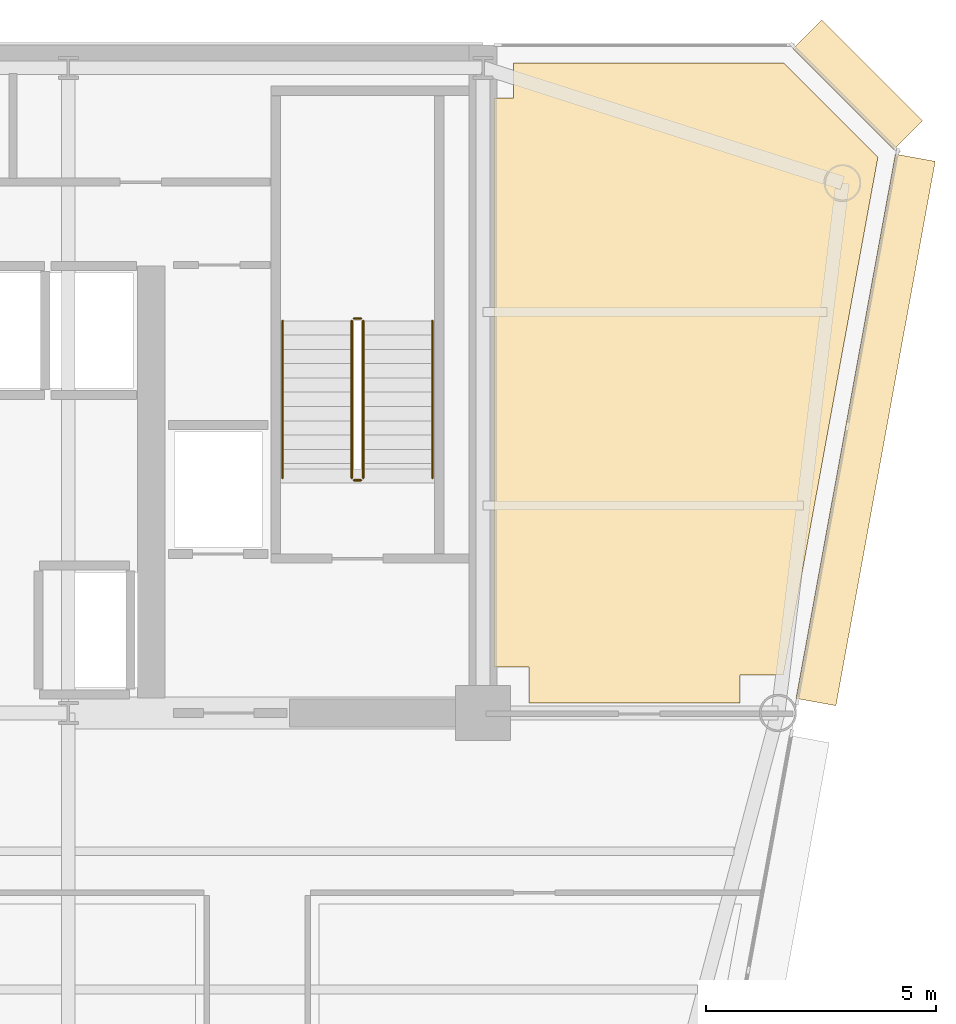
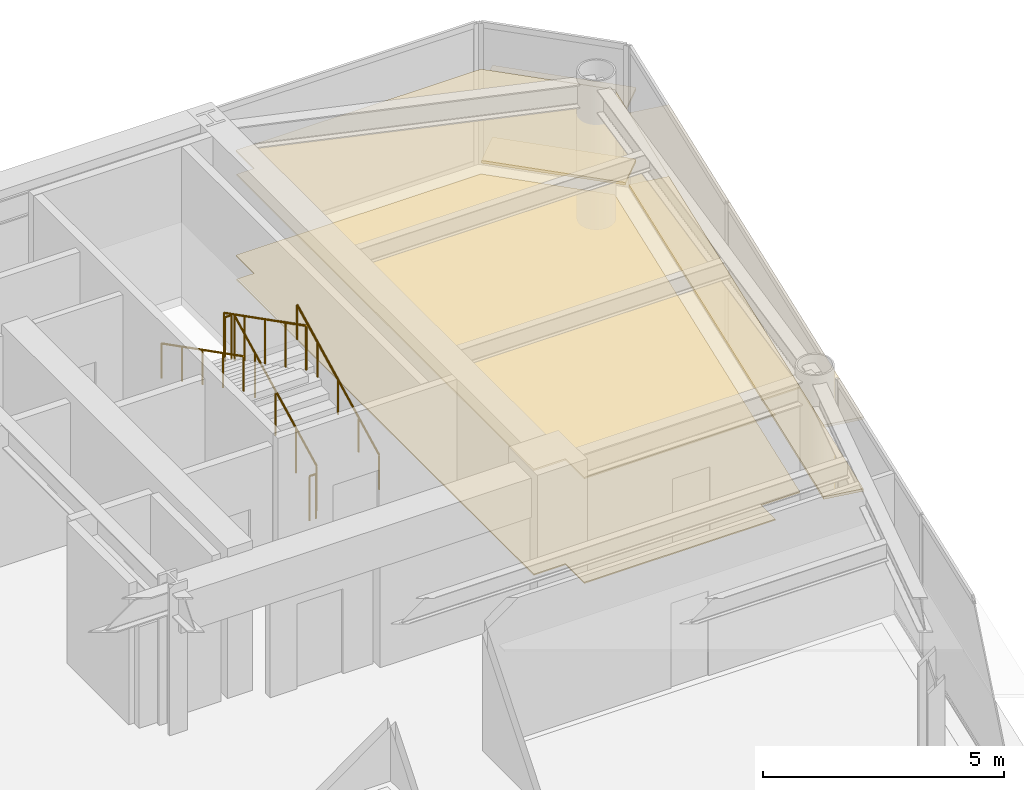
# One storey, part 17 of 17: 6 coverings, 6 railings.
"""IFC4 building model written with IfcOpenShell, lengths in metres."""

from ifc_helpers import new_model, si_unit, direction, frame, origin, origin_2d, place, context, subcontext, project, spatial, polyline, rectangle, circle, outline, extrude, source, transform, mapped, material, layer, layer_set, type_object, element, save


model = new_model("IFC4")

# Units and contexts
model_context = context("Model", 3, precision=1e-05, world=origin(), true_north=direction((0.0, 1.0)))
body_context = subcontext(model_context, "Body", "Model", "MODEL_VIEW")
ifc_project = project(units=[si_unit("LENGTHUNIT", "METRE"), si_unit("AREAUNIT", "SQUARE_METRE"), si_unit("VOLUMEUNIT", "CUBIC_METRE"), si_unit("PLANEANGLEUNIT", "RADIAN"), si_unit("MASSUNIT", "GRAM", prefix="KILO")], contexts=[model_context])

# Site, building, storey
site_placement = place(None, origin())
site = spatial("IfcSite", under=ifc_project, at=site_placement, CompositionType="ELEMENT")
building_placement = place(site_placement, origin())
building = spatial("IfcBuilding", under=site, at=building_placement, Name="Vaeldorn Concourse Tower", CompositionType="ELEMENT")
storey_placement = place(building_placement, frame((0.0, 0.0, 172.800048828125)))
storey = spatial("IfcBuildingStorey", under=building, at=storey_placement, Name="L44", CompositionType="ELEMENT", Elevation=172.800048828125)

# Coverings
ifc_material_1 = material(Name="Acoustic Mineral Fibre Board", Category="gypsum")
ifc_layer_1 = layer(ifc_material_1, 0.0400390625)
ifc_layer_set_1 = layer_set([ifc_layer_1], Name="Acoustic Mineral Fibre Board")
covering_type_1 = type_object("IfcCoveringType", Name="COV-CEIL-ACOUSTIC", PredefinedType="CEILING", material=ifc_layer_set_1)
covering_1_placement = place(storey_placement, frame((0.0, 0.0, 2.64990234375)))
element("IfcCovering", 1, at=covering_1_placement, inside=storey, type_object=covering_type_1, Name="Suspended Acoustic Ceiling L44-5", PredefinedType="CEILING", context=body_context, shape_type="SweptSolid", body=[
    extrude(outline(polyline([(54.659912109375, 49.840087890625), (54.659912109375, 50.60009765625), (60.5341796875, 50.60009765625), (62.56884765625, 48.5654296875), (60.517578125, 37.320068359375), (59.580078125, 37.320068359375), (59.580078125, 36.719970703125), (55.0, 36.719970703125), (55.0, 37.5), (54.239990234375, 37.5), (54.239990234375, 49.840087890625), (54.659912109375, 49.840087890625)])), origin(), (0.0, 0.0, 1.0), 0.0400390625),
])
ifc_material_2 = material(Name="Honed Limestone Terrazzo Flooring", Category="masonry")
ifc_layer_2 = layer(ifc_material_2, 0.0400390625)
ifc_layer_set_2 = layer_set([ifc_layer_2], Name="Honed Limestone Terrazzo Flooring")
covering_type_2 = type_object("IfcCoveringType", Name="COV-FLOOR-STONE", PredefinedType="FLOORING", material=ifc_layer_set_2)
covering_2_placement = place(storey_placement, origin())
element("IfcCovering", 2, at=covering_2_placement, inside=storey, type_object=covering_type_2, Name="Floor Finish Covering L44-5", PredefinedType="FLOORING", context=body_context, shape_type="SweptSolid", body=[
    extrude(outline(polyline([(54.659912109375, 49.840087890625), (54.659912109375, 50.60009765625), (60.5341796875, 50.60009765625), (62.56884765625, 48.5654296875), (60.517578125, 37.320068359375), (59.580078125, 37.320068359375), (59.580078125, 36.719970703125), (55.0, 36.719970703125), (55.0, 37.5), (54.239990234375, 37.5), (54.239990234375, 49.840087890625), (54.659912109375, 49.840087890625)])), origin(), (0.0, 0.0, 1.0), 0.030029296875),
])

# Railings
ifc_material_3 = material(Name="Anodised Bronze Aluminium", Category="aluminium")
railing_type_1 = type_object("IfcRailingType", Name="RL-STAIR-GUARD", PredefinedType="GUARDRAIL", material=ifc_material_3)
railing_1_placement = place(storey_placement, frame((51.39990234375, 41.60009765625, 0.158203125)))
element("IfcRailing", 3, at=railing_1_placement, inside=storey, type_object=railing_type_1, Name="L44 ST-2 stair guard 1", PredefinedType="GUARDRAIL", context=body_context, shape_type="SweptSolid", body=[
    extrude(circle(Radius=0.02392578125, at=origin_2d()), frame((0.0, 0.0, 1.1259765625), z_axis=(0.0, 0.890555807335, 0.454873997962), x_axis=(-1.0, 0.0, 0.0)), (0.0, 0.0, 1.0), 3.828857421875),
    extrude(circle(Radius=0.02099609375, at=origin_2d()), origin(), (0.0, 0.0, 1.0), 1.101806640625),
    extrude(circle(Radius=0.02099609375, at=origin_2d()), frame((0.0, 0.8525390625, 0.435546875)), (0.0, 0.0, 1.0), 1.101806640625),
    extrude(circle(Radius=0.02099609375, at=origin_2d()), frame((0.0, 1.705078125, 0.870849609375)), (0.0, 0.0, 1.0), 1.101806640625),
    extrude(circle(Radius=0.02099609375, at=origin_2d()), frame((0.0, 2.557373046875, 1.30615234375)), (0.0, 0.0, 1.0), 1.101806640625),
    extrude(circle(Radius=0.02099609375, at=origin_2d()), frame((0.0, 3.409912109375, 1.74169921875)), (0.0, 0.0, 1.0), 1.101806640625),
])
railing_2_placement = place(storey_placement, frame((51.35009765625, 45.06005859375, 1.89990234375)))
element("IfcRailing", 4, at=railing_2_placement, inside=storey, type_object=railing_type_1, Name="L44 ST-2 stair guard 2", PredefinedType="GUARDRAIL", context=body_context, shape_type="SweptSolid", body=[
    extrude(circle(Radius=0.02392578125, at=origin_2d()), frame((0.0, 0.0, 1.1259765625), z_axis=(-1.0, 0.0, 0.0), x_axis=(0.0, -1.0, 0.0)), (0.0, 0.0, 1.0), 0.150146484375),
    extrude(circle(Radius=0.02099609375, at=origin_2d()), origin(), (0.0, 0.0, 1.0), 1.101806640625),
    extrude(circle(Radius=0.02099609375, at=origin_2d()), frame((-0.150146484375, 0.0, 0.0)), (0.0, 0.0, 1.0), 1.101806640625),
])
railing_3_placement = place(storey_placement, frame((51.14990234375, 45.010009765625, 2.058349609375)))
element("IfcRailing", 5, at=railing_3_placement, inside=storey, type_object=railing_type_1, Name="L44 ST-2 stair guard 3", PredefinedType="GUARDRAIL", context=body_context, shape_type="SweptSolid", body=[
    extrude(circle(Radius=0.02392578125, at=origin_2d()), frame((0.0, 0.0, 1.1259765625), z_axis=(0.0, -0.890555807335, 0.454873997962), x_axis=(1.0, 0.0, 0.0)), (0.0, 0.0, 1.0), 3.828857421875),
    extrude(circle(Radius=0.02099609375, at=origin_2d()), origin(), (0.0, 0.0, 1.0), 1.101806640625),
    extrude(circle(Radius=0.02099609375, at=origin_2d()), frame((0.0, -0.8525390625, 0.435546875)), (0.0, 0.0, 1.0), 1.101806640625),
    extrude(circle(Radius=0.02099609375, at=origin_2d()), frame((0.0, -1.705078125, 0.870849609375)), (0.0, 0.0, 1.0), 1.101806640625),
    extrude(circle(Radius=0.02099609375, at=origin_2d()), frame((0.0, -2.557373046875, 1.30615234375)), (0.0, 0.0, 1.0), 1.101806640625),
    extrude(circle(Radius=0.02099609375, at=origin_2d()), frame((0.0, -3.409912109375, 1.74169921875)), (0.0, 0.0, 1.0), 1.101806640625),
])
railing_4_placement = place(storey_placement, frame((51.35009765625, 41.550048828125, 0.0)))
element("IfcRailing", 6, at=railing_4_placement, inside=storey, type_object=railing_type_1, Name="L44 ST-2 stair guard 4", PredefinedType="GUARDRAIL", context=body_context, shape_type="SweptSolid", body=[
    extrude(circle(Radius=0.02392578125, at=origin_2d()), frame((0.0, 0.0, 1.1259765625), z_axis=(-1.0, 0.0, 0.0), x_axis=(0.0, -1.0, 0.0)), (0.0, 0.0, 1.0), 0.150146484375),
    extrude(circle(Radius=0.02099609375, at=origin_2d()), origin(), (0.0, 0.0, 1.0), 1.101806640625),
    extrude(circle(Radius=0.02099609375, at=origin_2d()), frame((-0.150146484375, 0.0, 0.0)), (0.0, 0.0, 1.0), 1.101806640625),
])
railing_type_2 = type_object("IfcRailingType", Name="RL-STAIR-HANDRAIL", PredefinedType="HANDRAIL", material=ifc_material_3)
railing_5_placement = place(storey_placement, frame((52.89990234375, 41.60009765625, 0.158203125)))
element("IfcRailing", 7, at=railing_5_placement, inside=storey, type_object=railing_type_2, Name="L44 ST-2 stair handrail 1", PredefinedType="HANDRAIL", context=body_context, shape_type="SweptSolid", body=[
    extrude(circle(Radius=0.02392578125, at=origin_2d()), frame((0.0, 0.0, 0.8759765625), z_axis=(0.0, 0.890555807335, 0.454873997962), x_axis=(-1.0, 0.0, 0.0)), (0.0, 0.0, 1.0), 3.828857421875),
    extrude(circle(Radius=0.02099609375, at=origin_2d()), origin(), (0.0, 0.0, 1.0), 0.851806640625),
    extrude(circle(Radius=0.02099609375, at=origin_2d()), frame((0.0, 0.8525390625, 0.435546875)), (0.0, 0.0, 1.0), 0.851806640625),
    extrude(circle(Radius=0.02099609375, at=origin_2d()), frame((0.0, 1.705078125, 0.870849609375)), (0.0, 0.0, 1.0), 0.851806640625),
    extrude(circle(Radius=0.02099609375, at=origin_2d()), frame((0.0, 2.557373046875, 1.30615234375)), (0.0, 0.0, 1.0), 0.851806640625),
    extrude(circle(Radius=0.02099609375, at=origin_2d()), frame((0.0, 3.409912109375, 1.74169921875)), (0.0, 0.0, 1.0), 0.851806640625),
])
railing_6_placement = place(storey_placement, frame((49.64990234375, 45.010009765625, 2.058349609375)))
element("IfcRailing", 8, at=railing_6_placement, inside=storey, type_object=railing_type_2, Name="L44 ST-2 stair handrail 2", PredefinedType="HANDRAIL", context=body_context, shape_type="SweptSolid", body=[
    extrude(circle(Radius=0.02392578125, at=origin_2d()), frame((0.0, 0.0, 0.8759765625), z_axis=(0.0, -0.890555807335, 0.454873997962), x_axis=(1.0, 0.0, 0.0)), (0.0, 0.0, 1.0), 3.828857421875),
    extrude(circle(Radius=0.02099609375, at=origin_2d()), origin(), (0.0, 0.0, 1.0), 0.851806640625),
    extrude(circle(Radius=0.02099609375, at=origin_2d()), frame((0.0, -0.8525390625, 0.435546875)), (0.0, 0.0, 1.0), 0.851806640625),
    extrude(circle(Radius=0.02099609375, at=origin_2d()), frame((0.0, -1.705078125, 0.870849609375)), (0.0, 0.0, 1.0), 0.851806640625),
    extrude(circle(Radius=0.02099609375, at=origin_2d()), frame((0.0, -2.557373046875, 1.30615234375)), (0.0, 0.0, 1.0), 0.851806640625),
    extrude(circle(Radius=0.02099609375, at=origin_2d()), frame((0.0, -3.409912109375, 1.74169921875)), (0.0, 0.0, 1.0), 0.851806640625),
])

# Coverings
ifc_layer_3 = layer(ifc_material_3, 0.06494140625)
ifc_layer_set_3 = layer_set([ifc_layer_3], Name="Anodised Bronze Aluminium")
covering_type_3 = type_object("IfcCoveringType", Name="SD-BRONZE-SUNSHADE", PredefinedType="USERDEFINED", material=ifc_layer_set_3)
shared_shape_1 = source(origin(), body_context, "Body", "SweptSolid", [
    extrude(rectangle(XDim=3.0927734375, YDim=0.8798828125, at=origin_2d()), origin(), (0.0, 0.0, 1.0), 0.06494140625),
])
for number, where, z_axis, x_axis, name in (
    (9, (62.1328125, 50.1328125, 0.04736328125), (0.0, 0.0, 1.0), (-0.707106781187, 0.707106781187, 0.0), "Horizontal Bronze Sunshade L44-E08.1.1"),
    (10, (62.1328125, 50.1328125, 1.867431640625), (0.0, 0.0, 1.0), (-0.707106781187, 0.707106781187, 0.0), "Horizontal Bronze Sunshade L44-E08.1.2"),
):
    element("IfcCovering", number, at=place(storey_placement, frame(where, z_axis=z_axis, x_axis=x_axis)), inside=storey, type_object=covering_type_3, Name=name, ObjectType="SUNSHADE", PredefinedType="USERDEFINED", context=body_context, shape_type="MappedRepresentation", body=[
        mapped(shared_shape_1, transform((0.0, 0.0, 0.0), scale=1.0)),
    ])
shared_shape_2 = source(origin(), body_context, "Body", "SweptSolid", [
    extrude(rectangle(XDim=12.0078125, YDim=0.8798828125, at=origin_2d()), origin(), (0.0, 0.0, 1.0), 0.06494140625),
])
for number, where, z_axis, x_axis, name in (
    (11, (62.3017578125, 42.64306640625, 0.04736328125), (0.0, 0.0, 1.0), (0.179454713012, 0.983766235433, 0.0), "Horizontal Bronze Sunshade L44-E07.2.1"),
    (12, (62.3017578125, 42.64306640625, 1.867431640625), (0.0, 0.0, 1.0), (0.179454713012, 0.983766235433, 0.0), "Horizontal Bronze Sunshade L44-E07.2.2"),
):
    element("IfcCovering", number, at=place(storey_placement, frame(where, z_axis=z_axis, x_axis=x_axis)), inside=storey, type_object=covering_type_3, Name=name, ObjectType="SUNSHADE", PredefinedType="USERDEFINED", context=body_context, shape_type="MappedRepresentation", body=[
        mapped(shared_shape_2, transform((0.0, 0.0, 0.0), scale=1.0)),
    ])

save(model, "model.ifc")
